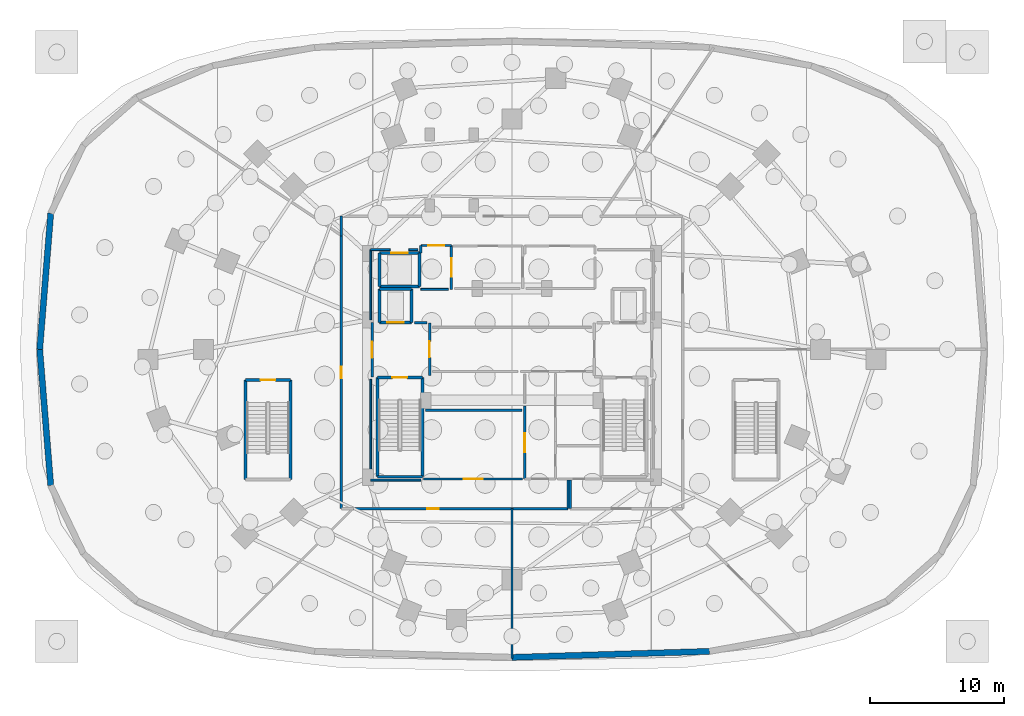
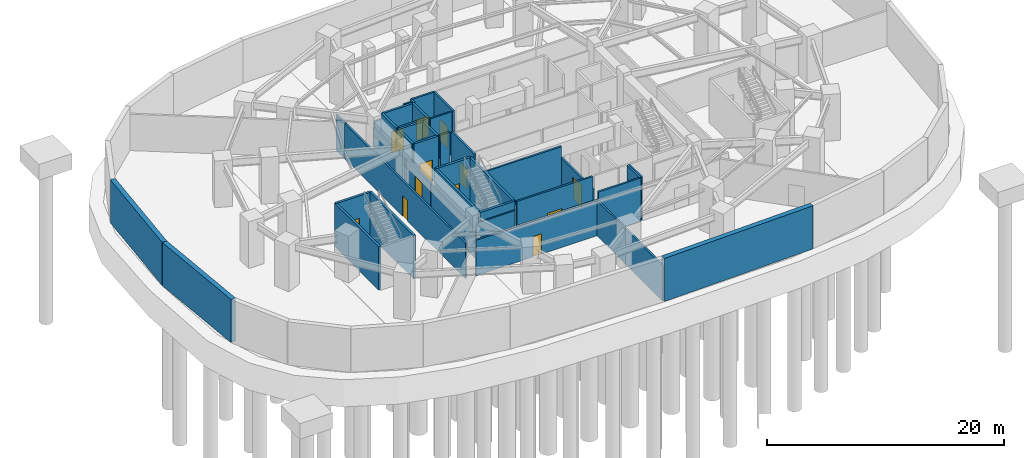
# One storey, part 4 of 9: 40 walls, 12 doors, 12 openings.
"""IFC4 building model written with IfcOpenShell, lengths in metres."""

from ifc_helpers import new_model, si_unit, direction, frame, frame_2d, origin, place, context, subcontext, project, spatial, rectangle, extrude, material, layer, layer_set, type_object, element, fill, save


model = new_model("IFC4")

# Units and contexts
model_context = context("Model", 3, precision=1e-05, world=origin(), true_north=direction((0.0, 1.0)))
body_context = subcontext(model_context, "Body", "Model", "MODEL_VIEW")
ifc_project = project(units=[si_unit("LENGTHUNIT", "METRE"), si_unit("AREAUNIT", "SQUARE_METRE"), si_unit("VOLUMEUNIT", "CUBIC_METRE"), si_unit("PLANEANGLEUNIT", "RADIAN"), si_unit("MASSUNIT", "GRAM", prefix="KILO")], contexts=[model_context])

# Site, building, storey
site_placement = place(None, origin())
site = spatial("IfcSite", under=ifc_project, at=site_placement, CompositionType="ELEMENT")
building_placement = place(site_placement, origin())
building = spatial("IfcBuilding", under=site, at=building_placement, Name="Vorneva Point Tower", CompositionType="ELEMENT")
storey_placement = place(building_placement, frame((0.0, 0.0, -9.60009765625)))
storey = spatial("IfcBuildingStorey", under=building, at=storey_placement, Name="B02", CompositionType="ELEMENT", Elevation=-9.60009765625)

# Wall, opening, door
ifc_material_1 = material(Name="Concrete B60 (C50/60)", Category="concrete")
ifc_layer_1 = layer(ifc_material_1, 0.5)
ifc_layer_set_1 = layer_set([ifc_layer_1], Name="Concrete B60 (C50/60)")
wall_type_1 = type_object("IfcWallType", Name="WL-CORE-500", PredefinedType="SHEAR", material=ifc_layer_set_1)
wall_1_placement = place(storey_placement, frame((28.10009765625, 28.0, 0.0), z_axis=(0.0, 0.0, 1.0), x_axis=(1.0, 0.0, 0.0)))
wall_1 = element("IfcWall", 1, at=wall_1_placement, inside=storey, type_object=wall_type_1, Name="B02 Lift FFL1 Shaft Wall -Y", PredefinedType="SHEAR", context=body_context, shape_type="SweptSolid", body=[
    extrude(rectangle(XDim=2.39990234375, YDim=0.219970703125, at=frame_2d((1.199951171875, 0.0))), origin(), (0.0, 0.0, 1.0), 4.4501953125),
])
opening_1_placement = place(wall_1_placement, frame((0.60009765625, 0.0, 0.0)))
opening_1 = element("IfcOpeningElement", 2, at=opening_1_placement, cuts=wall_1, Name="Opening LD-02", PredefinedType="OPENING", context=body_context, shape_type="SweptSolid", body=[
    extrude(rectangle(XDim=1.199951171875, YDim=2.199951171875, at=frame_2d((0.60009765625, 1.10009765625))), frame((0.0, 0.125, 0.0), z_axis=(0.0, -1.0, 0.0), x_axis=(1.0, 0.0, 0.0)), (0.0, 0.0, 1.0), 0.249755859375),
])
ifc_material_2 = material(Name="Brushed stainless steel S304", Category="steel")
door_type_1 = type_object("IfcDoorType", Name="LD-FIRE-1200", OperationType="SLIDING_TO_LEFT", PredefinedType="DOOR", material=ifc_material_2)
door_1_placement = place(opening_1_placement, origin())
door_1 = element("IfcDoor", 3, at=door_1_placement, inside=storey, type_object=door_type_1, Name="B02 Lift FFL1 Sliding Landing Door", OperationType="SLIDING_TO_LEFT", OverallHeight=2.199951171875, OverallWidth=1.199951171875, PredefinedType="DOOR", context=body_context, shape_type="SweptSolid", body=[
    extrude(rectangle(XDim=1.199951171875, YDim=2.199951171875, at=frame_2d((0.60009765625, 1.10009765625))), frame((0.0, 0.02490234375, 0.0), z_axis=(0.0, -1.0, 0.0), x_axis=(1.0, 0.0, 0.0)), (0.0, 0.0, 1.0), 0.050048828125),
])
fill(opening_1, door_1)

# Walls
wall_2_placement = place(storey_placement, frame((30.5, 28.0, 0.0), z_axis=(0.0, 0.0, 1.0), x_axis=(0.0, 1.0, 0.0)))
element("IfcWall", 4, at=wall_2_placement, inside=storey, type_object=wall_type_1, Name="B02 Lift FFL1 Shaft Wall +X", PredefinedType="SHEAR", context=body_context, shape_type="SweptSolid", body=[
    extrude(rectangle(XDim=2.5, YDim=0.219970703125, at=frame_2d((1.25, 0.0))), origin(), (0.0, 0.0, 1.0), 4.4501953125),
])
wall_3_placement = place(storey_placement, frame((30.5, 30.5, 0.0), z_axis=(0.0, 0.0, 1.0), x_axis=(-1.0, 0.0, 0.0)))
element("IfcWall", 5, at=wall_3_placement, inside=storey, type_object=wall_type_1, Name="B02 Lift FFL1 Shaft Wall +Y", PredefinedType="SHEAR", context=body_context, shape_type="SweptSolid", body=[
    extrude(rectangle(XDim=2.39990234375, YDim=0.219970703125, at=frame_2d((1.199951171875, 0.0))), origin(), (0.0, 0.0, 1.0), 4.4501953125),
])
wall_4_placement = place(storey_placement, frame((28.10009765625, 30.5, 0.0), z_axis=(0.0, 0.0, 1.0), x_axis=(0.0, -1.0, 0.0)))
element("IfcWall", 6, at=wall_4_placement, inside=storey, type_object=wall_type_1, Name="B02 Lift FFL1 Shaft Wall -X", PredefinedType="SHEAR", context=body_context, shape_type="SweptSolid", body=[
    extrude(rectangle(XDim=2.5, YDim=0.219970703125, at=frame_2d((1.25, 0.0))), origin(), (0.0, 0.0, 1.0), 4.4501953125),
])
ifc_material_3 = material(Name="Fire-rated acoustic gypsum stud partition", Category="gypsum")
ifc_layer_2 = layer(ifc_material_3, 0.139892578125)
ifc_layer_set_2 = layer_set([ifc_layer_2], Name="Fire-rated acoustic gypsum stud partition")
wall_type_2 = type_object("IfcWallType", Name="WL-PART-140", PredefinedType="PARTITIONING", material=ifc_layer_set_2)
wall_5_placement = place(storey_placement, frame((31.199951171875, 30.47998046875, 0.0), z_axis=(0.0, 0.0, 1.0), x_axis=(1.0, 0.0, 0.0)))
element("IfcWall", 7, at=wall_5_placement, inside=storey, type_object=wall_type_2, Name="B02 Interior Closure Partition 044", PredefinedType="PARTITIONING", context=body_context, shape_type="SweptSolid", body=[
    extrude(rectangle(XDim=2.050048828125, YDim=0.139892578125, at=frame_2d((1.02490234375, 0.0))), origin(), (0.0, 0.0, 1.0), 4.4501953125),
])
wall_6_placement = place(storey_placement, frame((31.195068359375, 16.239990234375, 0.0), z_axis=(0.0, 0.0, 1.0), x_axis=(-1.0, 0.0, 0.0)))
element("IfcWall", 8, at=wall_6_placement, inside=storey, type_object=wall_type_2, Name="B02 Interior Closure Partition 056", PredefinedType="PARTITIONING", context=body_context, shape_type="SweptSolid", body=[
    extrude(rectangle(XDim=3.7451171875, YDim=0.139892578125, at=frame_2d((1.87255859375, 0.0))), origin(), (0.0, 0.0, 1.0), 3.64208984375),
])
wall_7_placement = place(storey_placement, frame((27.449951171875, 16.239990234375, 0.0), z_axis=(0.0, 0.0, 1.0), x_axis=(0.0, 1.0, 0.0)))
element("IfcWall", 9, at=wall_7_placement, inside=storey, type_object=wall_type_2, Name="B02 Interior Closure Partition 057", PredefinedType="PARTITIONING", context=body_context, shape_type="SweptSolid", body=[
    extrude(rectangle(XDim=7.513916015625, YDim=0.139892578125, at=frame_2d((3.7568359375, 0.0))), origin(), (0.0, 0.0, 1.0), 3.030029296875),
])
wall_8_placement = place(storey_placement, frame((27.449951171875, 28.196044921875, 0.0), z_axis=(0.0, 0.0, 1.0), x_axis=(0.0, 1.0, 0.0)))
element("IfcWall", 10, at=wall_8_placement, inside=storey, type_object=wall_type_2, Name="B02 Interior Closure Partition 058", PredefinedType="PARTITIONING", context=body_context, shape_type="SweptSolid", body=[
    extrude(rectangle(XDim=5.25390625, YDim=0.139892578125, at=frame_2d((2.626953125, 0.0))), origin(), (0.0, 0.0, 1.0), 3.030029296875),
])
wall_9_placement = place(storey_placement, frame((27.449951171875, 33.449951171875, 0.0), z_axis=(0.0, 0.0, 1.0), x_axis=(1.0, 0.0, 0.0)))
element("IfcWall", 11, at=wall_9_placement, inside=storey, type_object=wall_type_2, Name="B02 Interior Closure Partition 059", PredefinedType="PARTITIONING", context=body_context, shape_type="SweptSolid", body=[
    extrude(rectangle(XDim=1.444091796875, YDim=0.139892578125, at=frame_2d((0.72216796875, 0.0))), origin(), (0.0, 0.0, 1.0), 3.64208984375),
])
wall_10_placement = place(storey_placement, frame((30.305908203125, 33.449951171875, 0.0), z_axis=(0.0, 0.0, 1.0), x_axis=(1.0, 0.0, 0.0)))
element("IfcWall", 12, at=wall_10_placement, inside=storey, type_object=wall_type_2, Name="B02 Interior Closure Partition 060", PredefinedType="PARTITIONING", context=body_context, shape_type="SweptSolid", body=[
    extrude(rectangle(XDim=0.674072265625, YDim=0.139892578125, at=frame_2d((0.3369140625, 0.0))), origin(), (0.0, 0.0, 1.0), 4.4501953125),
])

# Wall, opening, door
ifc_material_4 = material(Name="Autoclaved aerated concrete blockwork", Category="masonry")
ifc_layer_3 = layer(ifc_material_4, 0.179931640625)
ifc_layer_set_3 = layer_set([ifc_layer_3], Name="Autoclaved aerated concrete blockwork")
wall_type_3 = type_object("IfcWallType", Name="WL-PART-180", PredefinedType="PARTITIONING", material=ifc_layer_set_3)
wall_11_placement = place(storey_placement, frame((31.85009765625, 24.044921875, 0.0), z_axis=(0.0, 0.0, 1.0), x_axis=(0.0, 1.0, 0.0)))
wall_11 = element("IfcWall", 13, at=wall_11_placement, inside=storey, type_object=wall_type_3, Name="B02 Interior Partition 001", PredefinedType="PARTITIONING", context=body_context, shape_type="SweptSolid", body=[
    extrude(rectangle(XDim=3.91015625, YDim=0.179931640625, at=frame_2d((1.955078125, 0.0))), origin(), (0.0, 0.0, 1.0), 4.4501953125),
])
opening_2_placement = place(wall_11_placement, frame((1.35498046875, 0.0, 0.0)))
opening_2 = element("IfcOpeningElement", 14, at=opening_2_placement, cuts=wall_11, Name="Opening FD-02", PredefinedType="OPENING", context=body_context, shape_type="SweptSolid", body=[
    extrude(rectangle(XDim=1.199951171875, YDim=2.14990234375, at=frame_2d((0.60009765625, 1.074951171875))), frame((0.0, 0.10498046875, 0.0), z_axis=(0.0, -1.0, 0.0), x_axis=(1.0, 0.0, 0.0)), (0.0, 0.0, 1.0), 0.209716796875),
])
ifc_material_5 = material(Name="Fire-rated powder-coated steel", Category="steel")
door_type_2 = type_object("IfcDoorType", Name="DR-FFL-1200", OperationType="NOTDEFINED", PredefinedType="DOOR", material=ifc_material_5)
door_2_placement = place(opening_2_placement, origin())
door_2 = element("IfcDoor", 15, at=door_2_placement, inside=storey, type_object=door_type_2, Name="B02 Door West Firefighting Lobby / Central Lift Lobby", OperationType="SINGLE_SWING_RIGHT", OverallHeight=2.14990234375, OverallWidth=1.199951171875, PredefinedType="DOOR", context=body_context, shape_type="SweptSolid", body=[
    extrude(rectangle(XDim=1.199951171875, YDim=2.14990234375, at=frame_2d((0.60009765625, 1.074951171875))), frame((0.0, 0.02490234375, 0.0), z_axis=(0.0, -1.0, 0.0), x_axis=(1.0, 0.0, 0.0)), (0.0, 0.0, 1.0), 0.050048828125),
])
fill(opening_2, door_2)

wall_12_placement = place(storey_placement, frame((27.550048828125, 28.0, 0.0), z_axis=(0.0, 0.0, 1.0), x_axis=(0.0, -1.0, 0.0)))
wall_12 = element("IfcWall", 16, at=wall_12_placement, inside=storey, type_object=wall_type_3, Name="B02 Interior Partition 002", PredefinedType="PARTITIONING", context=body_context, shape_type="SweptSolid", body=[
    extrude(rectangle(XDim=4.050048828125, YDim=0.179931640625, at=frame_2d((2.02490234375, 0.0))), origin(), (0.0, 0.0, 1.0), 3.030029296875),
])
opening_3_placement = place(wall_12_placement, frame((1.425048828125, 0.0, 0.0)))
opening_3 = element("IfcOpeningElement", 17, at=opening_3_placement, cuts=wall_12, Name="Opening FD-02", PredefinedType="OPENING", context=body_context, shape_type="SweptSolid", body=[
    extrude(rectangle(XDim=1.199951171875, YDim=2.14990234375, at=frame_2d((0.60009765625, 1.074951171875))), frame((0.0, 0.10498046875, 0.0), z_axis=(0.0, -1.0, 0.0), x_axis=(1.0, 0.0, 0.0)), (0.0, 0.0, 1.0), 0.209716796875),
])
door_3_placement = place(opening_3_placement, origin())
door_3 = element("IfcDoor", 18, at=door_3_placement, inside=storey, type_object=door_type_2, Name="B02 Door West Firefighting Lobby / B02 Circulation Corridor", OperationType="SINGLE_SWING_RIGHT", OverallHeight=2.14990234375, OverallWidth=1.199951171875, PredefinedType="DOOR", context=body_context, shape_type="SweptSolid", body=[
    extrude(rectangle(XDim=1.199951171875, YDim=2.14990234375, at=frame_2d((0.60009765625, 1.074951171875))), frame((0.0, 0.02490234375, 0.0), z_axis=(0.0, -1.0, 0.0), x_axis=(1.0, 0.0, 0.0)), (0.0, 0.0, 1.0), 0.050048828125),
])
fill(opening_3, door_3)

wall_13_placement = place(storey_placement, frame((33.469970703125, 30.47998046875, 0.0), z_axis=(0.0, 0.0, 1.0), x_axis=(0.0, 1.0, 0.0)))
wall_13 = element("IfcWall", 19, at=wall_13_placement, inside=storey, type_object=wall_type_3, Name="B02 Interior Partition 006", PredefinedType="PARTITIONING", context=body_context, shape_type="SweptSolid", body=[
    extrude(rectangle(XDim=3.280029296875, YDim=0.179931640625, at=frame_2d((1.64013671875, 0.0))), origin(), (0.0, 0.0, 1.0), 4.4501953125),
])
opening_4_placement = place(wall_13_placement, frame((0.93994140625, 0.0, 0.0)))
opening_4 = element("IfcOpeningElement", 20, at=opening_4_placement, cuts=wall_13, Name="Opening FD-03", PredefinedType="OPENING", context=body_context, shape_type="SweptSolid", body=[
    extrude(rectangle(XDim=1.39990234375, YDim=2.199951171875, at=frame_2d((0.699951171875, 1.10009765625))), frame((0.0, 0.10498046875, 0.0), z_axis=(0.0, -1.0, 0.0), x_axis=(1.0, 0.0, 0.0)), (0.0, 0.0, 1.0), 0.209716796875),
])
door_type_3 = type_object("IfcDoorType", Name="DR-PLT-1400", OperationType="DOUBLE_SWING_LEFT", PredefinedType="DOOR", material=ifc_material_5)
door_4_placement = place(opening_4_placement, origin())
door_4 = element("IfcDoor", 21, at=door_4_placement, inside=storey, type_object=door_type_3, Name="B02 Door Service Lift Lobby / Core Smoke Extract Plant B02", OperationType="DOUBLE_SWING_LEFT", OverallHeight=2.199951171875, OverallWidth=1.39990234375, PredefinedType="DOOR", context=body_context, shape_type="SweptSolid", body=[
    extrude(rectangle(XDim=1.39990234375, YDim=2.199951171875, at=frame_2d((0.699951171875, 1.10009765625))), frame((0.0, 0.02490234375, 0.0), z_axis=(0.0, -1.0, 0.0), x_axis=(1.0, 0.0, 0.0)), (0.0, 0.0, 1.0), 0.050048828125),
])
fill(opening_4, door_4)

wall_14_placement = place(storey_placement, frame((33.469970703125, 33.760009765625, 0.0), z_axis=(0.0, 0.0, 1.0), x_axis=(-1.0, 0.0, 0.0)))
wall_14 = element("IfcWall", 22, at=wall_14_placement, inside=storey, type_object=wall_type_3, Name="B02 Interior Partition 007", PredefinedType="PARTITIONING", context=body_context, shape_type="SweptSolid", body=[
    extrude(rectangle(XDim=2.27001953125, YDim=0.179931640625, at=frame_2d((1.135009765625, 0.0))), origin(), (0.0, 0.0, 1.0), 4.4501953125),
])
opening_5_placement = place(wall_14_placement, frame((0.534912109375, 0.0, 0.0)))
opening_5 = element("IfcOpeningElement", 23, at=opening_5_placement, cuts=wall_14, Name="Opening FD-02", PredefinedType="OPENING", context=body_context, shape_type="SweptSolid", body=[
    extrude(rectangle(XDim=1.199951171875, YDim=2.14990234375, at=frame_2d((0.60009765625, 1.074951171875))), frame((0.0, 0.10498046875, 0.0), z_axis=(0.0, -1.0, 0.0), x_axis=(1.0, 0.0, 0.0)), (0.0, 0.0, 1.0), 0.209716796875),
])
door_5_placement = place(opening_5_placement, origin())
door_5 = element("IfcDoor", 24, at=door_5_placement, inside=storey, type_object=door_type_2, Name="B02 Door Service Lift Lobby / B02 Circulation Corridor", OperationType="SINGLE_SWING_RIGHT", OverallHeight=2.14990234375, OverallWidth=1.199951171875, PredefinedType="DOOR", context=body_context, shape_type="SweptSolid", body=[
    extrude(rectangle(XDim=1.199951171875, YDim=2.14990234375, at=frame_2d((0.60009765625, 1.074951171875))), frame((0.0, 0.02490234375, 0.0), z_axis=(0.0, -1.0, 0.0), x_axis=(1.0, 0.0, 0.0)), (0.0, 0.0, 1.0), 0.050048828125),
])
fill(opening_5, door_5)

# Wall
wall_15_placement = place(storey_placement, frame((31.199951171875, 33.760009765625, 0.0), z_axis=(0.0, 0.0, 1.0), x_axis=(0.0, -1.0, 0.0)))
element("IfcWall", 25, at=wall_15_placement, inside=storey, type_object=wall_type_3, Name="B02 Interior Partition 008", PredefinedType="PARTITIONING", context=body_context, shape_type="SweptSolid", body=[
    extrude(rectangle(XDim=0.56005859375, YDim=0.179931640625, at=frame_2d((0.280029296875, 0.0))), origin(), (0.0, 0.0, 1.0), 4.4501953125),
])

# Wall, opening, door
wall_16_placement = place(storey_placement, frame((38.949951171875, 21.7548828125, 0.0), z_axis=(0.0, 0.0, 1.0), x_axis=(0.0, -1.0, 0.0)))
wall_16 = element("IfcWall", 26, at=wall_16_placement, inside=storey, type_object=wall_type_3, Name="B02 Interior Partition 011", PredefinedType="PARTITIONING", context=body_context, shape_type="SweptSolid", body=[
    extrude(rectangle(XDim=5.434814453125, YDim=0.179931640625, at=frame_2d((2.71728515625, 0.0))), origin(), (0.0, 0.0, 1.0), 3.030029296875),
])
opening_6_placement = place(wall_16_placement, frame((2.017578125, 0.0, 0.0)))
opening_6 = element("IfcOpeningElement", 27, at=opening_6_placement, cuts=wall_16, Name="Opening FD-03", PredefinedType="OPENING", context=body_context, shape_type="SweptSolid", body=[
    extrude(rectangle(XDim=1.39990234375, YDim=2.199951171875, at=frame_2d((0.699951171875, 1.10009765625))), frame((0.0, 0.10498046875, 0.0), z_axis=(0.0, -1.0, 0.0), x_axis=(1.0, 0.0, 0.0)), (0.0, 0.0, 1.0), 0.209716796875),
])
door_6_placement = place(opening_6_placement, origin())
door_6 = element("IfcDoor", 28, at=door_6_placement, inside=storey, type_object=door_type_3, Name="B02 Door Core Service Lobby / Core Hydraulic Pump Plant B02", OperationType="DOUBLE_SWING_LEFT", OverallHeight=2.199951171875, OverallWidth=1.39990234375, PredefinedType="DOOR", context=body_context, shape_type="SweptSolid", body=[
    extrude(rectangle(XDim=1.39990234375, YDim=2.199951171875, at=frame_2d((0.699951171875, 1.10009765625))), frame((0.0, 0.02490234375, 0.0), z_axis=(0.0, -1.0, 0.0), x_axis=(1.0, 0.0, 0.0)), (0.0, 0.0, 1.0), 0.050048828125),
])
fill(opening_6, door_6)

wall_17_placement = place(storey_placement, frame((31.39990234375, 16.320068359375, 0.0), z_axis=(0.0, 0.0, 1.0), x_axis=(1.0, 0.0, 0.0)))
wall_17 = element("IfcWall", 29, at=wall_17_placement, inside=storey, type_object=wall_type_3, Name="B02 Interior Partition 020", PredefinedType="PARTITIONING", context=body_context, shape_type="SweptSolid", body=[
    extrude(rectangle(XDim=7.400146484375, YDim=0.179931640625, at=frame_2d((3.7001953125, 0.0))), origin(), (0.0, 0.0, 1.0), 4.4501953125),
])
opening_7_placement = place(wall_17_placement, frame((3.0, 0.0, 0.0)))
opening_7 = element("IfcOpeningElement", 30, at=opening_7_placement, cuts=wall_17, Name="Opening FD-03", PredefinedType="OPENING", context=body_context, shape_type="SweptSolid", body=[
    extrude(rectangle(XDim=1.39990234375, YDim=2.199951171875, at=frame_2d((0.699951171875, 1.10009765625))), frame((0.0, 0.10498046875, 0.0), z_axis=(0.0, -1.0, 0.0), x_axis=(1.0, 0.0, 0.0)), (0.0, 0.0, 1.0), 0.209716796875),
])
door_7_placement = place(opening_7_placement, origin())
door_7 = element("IfcDoor", 31, at=door_7_placement, inside=storey, type_object=door_type_3, Name="B02 Door Core Hydraulic Pump Plant B02 / B02 Circulation Corridor", OperationType="DOUBLE_SWING_LEFT", OverallHeight=2.199951171875, OverallWidth=1.39990234375, PredefinedType="DOOR", context=body_context, shape_type="SweptSolid", body=[
    extrude(rectangle(XDim=1.39990234375, YDim=2.199951171875, at=frame_2d((0.699951171875, 1.10009765625))), frame((0.0, 0.02490234375, 0.0), z_axis=(0.0, -1.0, 0.0), x_axis=(1.0, 0.0, 0.0)), (0.0, 0.0, 1.0), 0.050048828125),
])
fill(opening_7, door_7)

# Wall
wall_18_placement = place(storey_placement, frame((25.25, 35.949951171875, 0.0), z_axis=(0.0, 0.0, 1.0), x_axis=(0.0, -1.0, 0.0)))
element("IfcWall", 32, at=wall_18_placement, inside=storey, type_object=wall_type_3, Name="B02 Interior Partition 026", PredefinedType="PARTITIONING", context=body_context, shape_type="SweptSolid", body=[
    extrude(rectangle(XDim=1.490966796875, YDim=0.179931640625, at=frame_2d((0.74560546875, 0.0))), origin(), (0.0, 0.0, 1.0), 3.64208984375),
])

# Wall, opening, door
wall_19_placement = place(storey_placement, frame((25.25, 34.458984375, 0.0), z_axis=(0.0, 0.0, 1.0), x_axis=(0.0, -1.0, 0.0)))
wall_19 = element("IfcWall", 33, at=wall_19_placement, inside=storey, type_object=wall_type_3, Name="B02 Interior Partition 027", PredefinedType="PARTITIONING", context=body_context, shape_type="SweptSolid", body=[
    extrude(rectangle(XDim=20.35888671875, YDim=0.179931640625, at=frame_2d((10.179443359375, 0.0))), origin(), (0.0, 0.0, 1.0), 3.64208984375),
])
opening_8_placement = place(wall_19_placement, frame((9.75439453125, 0.0, 0.0)))
opening_8 = element("IfcOpeningElement", 34, at=opening_8_placement, cuts=wall_19, Name="Opening ID-02", PredefinedType="OPENING", context=body_context, shape_type="SweptSolid", body=[
    extrude(rectangle(XDim=0.85009765625, YDim=2.10009765625, at=frame_2d((0.425048828125, 1.050048828125))), frame((0.0, 0.10498046875, 0.0), z_axis=(0.0, -1.0, 0.0), x_axis=(1.0, 0.0, 0.0)), (0.0, 0.0, 1.0), 0.209716796875),
])
ifc_material_6 = material(Name="Engineered oak fire-rated door leaf", Category="wood")
door_type_4 = type_object("IfcDoorType", Name="DR-BATH-850", OperationType="NOTDEFINED", PredefinedType="DOOR", material=ifc_material_6)
door_8_placement = place(opening_8_placement, origin())
door_8 = element("IfcDoor", 35, at=door_8_placement, inside=storey, type_object=door_type_4, Name="B02 Door B02 Circulation Corridor / Basement Archive and MEP Storage West", OperationType="SINGLE_SWING_RIGHT", OverallHeight=2.10009765625, OverallWidth=0.85009765625, PredefinedType="DOOR", context=body_context, shape_type="SweptSolid", body=[
    extrude(rectangle(XDim=0.85009765625, YDim=2.10009765625, at=frame_2d((0.425048828125, 1.050048828125))), frame((0.0, 0.02490234375, 0.0), z_axis=(0.0, -1.0, 0.0), x_axis=(1.0, 0.0, 0.0)), (0.0, 0.0, 1.0), 0.050048828125),
])
fill(opening_8, door_8)

wall_20_placement = place(storey_placement, frame((26.159912109375, 14.10009765625, 0.0), z_axis=(0.0, 0.0, 1.0), x_axis=(1.0, 0.0, 0.0)))
wall_20 = element("IfcWall", 36, at=wall_20_placement, inside=storey, type_object=wall_type_3, Name="B02 Interior Partition 029", PredefinedType="PARTITIONING", context=body_context, shape_type="SweptSolid", body=[
    extrude(rectangle(XDim=11.900146484375, YDim=0.179931640625, at=frame_2d((5.9501953125, 0.0))), origin(), (0.0, 0.0, 1.0), 3.64208984375),
])
opening_9_placement = place(wall_20_placement, frame((5.52490234375, 0.0, 0.0)))
opening_9 = element("IfcOpeningElement", 37, at=opening_9_placement, cuts=wall_20, Name="Opening ID-02", PredefinedType="OPENING", context=body_context, shape_type="SweptSolid", body=[
    extrude(rectangle(XDim=0.85009765625, YDim=2.10009765625, at=frame_2d((0.425048828125, 1.050048828125))), frame((0.0, 0.10498046875, 0.0), z_axis=(0.0, -1.0, 0.0), x_axis=(1.0, 0.0, 0.0)), (0.0, 0.0, 1.0), 0.209716796875),
])
door_9_placement = place(opening_9_placement, origin())
door_9 = element("IfcDoor", 38, at=door_9_placement, inside=storey, type_object=door_type_4, Name="B02 Door B02 Circulation Corridor / Bicycle and Tenant Storage Room", OperationType="SINGLE_SWING_LEFT", OverallHeight=2.10009765625, OverallWidth=0.85009765625, PredefinedType="DOOR", context=body_context, shape_type="SweptSolid", body=[
    extrude(rectangle(XDim=0.85009765625, YDim=2.10009765625, at=frame_2d((0.425048828125, 1.050048828125))), frame((0.0, 0.02490234375, 0.0), z_axis=(0.0, -1.0, 0.0), x_axis=(1.0, 0.0, 0.0)), (0.0, 0.0, 1.0), 0.050048828125),
])
fill(opening_9, door_9)

# Walls
wall_21_placement = place(storey_placement, frame((42.340087890625, 16.239990234375, 0.0), z_axis=(0.0, 0.0, 1.0), x_axis=(0.0, -1.0, 0.0)))
element("IfcWall", 39, at=wall_21_placement, inside=storey, type_object=wall_type_3, Name="B02 Interior Partition 030", PredefinedType="PARTITIONING", context=body_context, shape_type="SweptSolid", body=[
    extrude(rectangle(XDim=2.139892578125, YDim=0.179931640625, at=frame_2d((1.06982421875, 0.0))), origin(), (0.0, 0.0, 1.0), 4.4501953125),
])
wall_22_placement = place(storey_placement, frame((38.06005859375, 14.10009765625, 0.0), z_axis=(0.0, 0.0, 1.0), x_axis=(1.0, 0.0, 0.0)))
element("IfcWall", 40, at=wall_22_placement, inside=storey, type_object=wall_type_3, Name="B02 Interior Partition 032", PredefinedType="PARTITIONING", context=body_context, shape_type="SweptSolid", body=[
    extrude(rectangle(XDim=4.139892578125, YDim=0.179931640625, at=frame_2d((2.06982421875, 0.0))), origin(), (0.0, 0.0, 1.0), 4.4501953125),
])
wall_23_placement = place(storey_placement, frame((42.199951171875, 14.10009765625, 0.0), z_axis=(0.0, 0.0, 1.0), x_axis=(0.0, 1.0, 0.0)))
element("IfcWall", 41, at=wall_23_placement, inside=storey, type_object=wall_type_3, Name="B02 Interior Partition 033", PredefinedType="PARTITIONING", context=body_context, shape_type="SweptSolid", body=[
    extrude(rectangle(XDim=2.139892578125, YDim=0.179931640625, at=frame_2d((1.06982421875, 0.0))), origin(), (0.0, 0.0, 1.0), 4.4501953125),
])
wall_24_placement = place(storey_placement, frame((38.0, 2.904052734375, 0.0), z_axis=(0.0, 0.0, 1.0), x_axis=(0.0, 1.0, 0.0)))
element("IfcWall", 42, at=wall_24_placement, inside=storey, type_object=wall_type_3, Name="B02 Interior Partition 040", PredefinedType="PARTITIONING", context=body_context, shape_type="SweptSolid", body=[
    extrude(rectangle(XDim=11.196044921875, YDim=0.179931640625, at=frame_2d((5.59814453125, 0.0))), origin(), (0.0, 0.0, 1.0), 3.64208984375),
])
wall_25_placement = place(storey_placement, frame((31.635009765625, 28.0, 0.0), z_axis=(0.0, 0.0, 1.0), x_axis=(-1.0, 0.0, 0.0)))
element("IfcWall", 43, at=wall_25_placement, inside=storey, type_object=wall_type_3, Name="B02 Interior Closure Partition 042", PredefinedType="PARTITIONING", context=body_context, shape_type="SweptSolid", body=[
    extrude(rectangle(XDim=0.9150390625, YDim=0.179931640625, at=frame_2d((0.45751953125, 0.0))), origin(), (0.0, 0.0, 1.0), 4.4501953125),
])
wall_26_placement = place(storey_placement, frame((38.72998046875, 21.449951171875, 0.0), z_axis=(0.0, 0.0, 1.0), x_axis=(-1.0, 0.0, 0.0)))
element("IfcWall", 44, at=wall_26_placement, inside=storey, type_object=wall_type_3, Name="B02 Interior Closure Partition 051", PredefinedType="PARTITIONING", context=body_context, shape_type="SweptSolid", body=[
    extrude(rectangle(XDim=7.199951171875, YDim=0.179931640625, at=frame_2d((3.60009765625, 0.0))), origin(), (0.0, 0.0, 1.0), 4.4501953125),
])
ifc_layer_4 = layer(ifc_material_1, 0.449951171875)
ifc_layer_set_4 = layer_set([ifc_layer_4], Name="Concrete B60 (C50/60)")
wall_type_4 = type_object("IfcWallType", Name="WL-RET-450", PredefinedType="SOLIDWALL", material=ifc_layer_set_4)
for number, where, z_axis, x_axis, name in (
    (45, (3.552978515625, 36.162841796875, 0.0), (0.0, 0.0, 1.0), (-0.080835799126, -0.996727431939, 0.0), "B02 Perimeter Retaining Wall 12"),
    (46, (2.728759765625, 26.0, 0.0), (0.0, 0.0, 1.0), (0.080835799126, -0.996727431939, 0.0), "B02 Perimeter Retaining Wall 13"),
):
    element("IfcWall", number, at=place(storey_placement, frame(where, z_axis=z_axis, x_axis=x_axis)), inside=storey, type_object=wall_type_4, Name=name, PredefinedType="SOLIDWALL", context=body_context, shape_type="SweptSolid", body=[
        extrude(rectangle(XDim=10.1962890625, YDim=0.449951171875, at=frame_2d((5.09814453125, 0.0))), origin(), (0.0, 0.0, 1.0), 4.4501953125),
    ])
wall_27_placement = place(storey_placement, frame((38.0, 3.000244140625, 0.0), z_axis=(0.0, 0.0, 1.0), x_axis=(0.999540251976, 0.030319707786, 0.0)))
element("IfcWall", 47, at=wall_27_placement, inside=storey, type_object=wall_type_4, Name="B02 Perimeter Retaining Wall 19", PredefinedType="SOLIDWALL", context=body_context, shape_type="SweptSolid", body=[
    extrude(rectangle(XDim=14.74365234375, YDim=0.449951171875, at=frame_2d((7.371826171875, 0.0))), origin(), (0.0, 0.0, 1.0), 4.4501953125),
])

# Wall, opening, door
ifc_material_7 = material(Name="Concrete B50 (C40/50)", Category="concrete")
ifc_layer_5 = layer(ifc_material_7, 0.219970703125)
ifc_layer_set_5 = layer_set([ifc_layer_5], Name="Concrete B50 (C40/50)")
wall_type_5 = type_object("IfcWallType", Name="WL-SHFT-220", PredefinedType="SOLIDWALL", material=ifc_layer_set_5)
wall_28_placement = place(storey_placement, frame((27.93994140625, 23.909912109375, 0.0), z_axis=(0.0, 0.0, 1.0), x_axis=(1.0, 0.0, 0.0)))
wall_28 = element("IfcWall", 48, at=wall_28_placement, inside=storey, type_object=wall_type_5, Name="B02 Exit Stair ST1 Shaft Wall near", PredefinedType="SOLIDWALL", context=body_context, shape_type="SweptSolid", body=[
    extrude(rectangle(XDim=3.3701171875, YDim=0.219970703125, at=frame_2d((1.68505859375, 0.0))), origin(), (0.0, 0.0, 1.0), 4.4501953125),
])
opening_10_placement = place(wall_28_placement, frame((1.135009765625, 0.0, 0.0)))
opening_10 = element("IfcOpeningElement", 49, at=opening_10_placement, cuts=wall_28, Name="Opening FD-01", PredefinedType="OPENING", context=body_context, shape_type="SweptSolid", body=[
    extrude(rectangle(XDim=1.10009765625, YDim=2.14990234375, at=frame_2d((0.550048828125, 1.074951171875))), frame((0.0, 0.125, 0.0), z_axis=(0.0, -1.0, 0.0), x_axis=(1.0, 0.0, 0.0)), (0.0, 0.0, 1.0), 0.249755859375),
])
door_type_5 = type_object("IfcDoorType", Name="DR-STAIR-1100", OperationType="NOTDEFINED", PredefinedType="DOOR", material=ifc_material_5)
door_10_placement = place(opening_10_placement, origin())
door_10 = element("IfcDoor", 50, at=door_10_placement, inside=storey, type_object=door_type_5, Name="B02 Exit Stair ST1 Fire Door", OperationType="SINGLE_SWING_RIGHT", OverallHeight=2.14990234375, OverallWidth=1.10009765625, PredefinedType="DOOR", context=body_context, shape_type="SweptSolid", body=[
    extrude(rectangle(XDim=1.10009765625, YDim=2.14990234375, at=frame_2d((0.550048828125, 1.074951171875))), frame((0.0, 0.02490234375, 0.0), z_axis=(0.0, -1.0, 0.0), x_axis=(1.0, 0.0, 0.0)), (0.0, 0.0, 1.0), 0.050048828125),
])
fill(opening_10, door_10)

# Walls
wall_29_placement = place(storey_placement, frame((31.31005859375, 23.909912109375, 0.0), z_axis=(0.0, 0.0, 1.0), x_axis=(0.0, -1.0, 0.0)))
element("IfcWall", 51, at=wall_29_placement, inside=storey, type_object=wall_type_5, Name="B02 Exit Stair ST1 Shaft Wall right", PredefinedType="SOLIDWALL", context=body_context, shape_type="SweptSolid", body=[
    extrude(rectangle(XDim=7.419921875, YDim=0.219970703125, at=frame_2d((3.7099609375, 0.0))), origin(), (0.0, 0.0, 1.0), 4.4501953125),
])
wall_30_placement = place(storey_placement, frame((31.31005859375, 16.489990234375, 0.0), z_axis=(0.0, 0.0, 1.0), x_axis=(-1.0, 0.0, 0.0)))
element("IfcWall", 52, at=wall_30_placement, inside=storey, type_object=wall_type_5, Name="B02 Exit Stair ST1 Shaft Wall far", PredefinedType="SOLIDWALL", context=body_context, shape_type="SweptSolid", body=[
    extrude(rectangle(XDim=3.3701171875, YDim=0.219970703125, at=frame_2d((1.68505859375, 0.0))), origin(), (0.0, 0.0, 1.0), 4.4501953125),
])
wall_31_placement = place(storey_placement, frame((27.93994140625, 16.489990234375, 0.0), z_axis=(0.0, 0.0, 1.0), x_axis=(0.0, 1.0, 0.0)))
element("IfcWall", 53, at=wall_31_placement, inside=storey, type_object=wall_type_5, Name="B02 Exit Stair ST1 Shaft Wall left", PredefinedType="SOLIDWALL", context=body_context, shape_type="SweptSolid", body=[
    extrude(rectangle(XDim=7.419921875, YDim=0.219970703125, at=frame_2d((3.7099609375, 0.0))), origin(), (0.0, 0.0, 1.0), 4.4501953125),
])

# Wall, opening, door
wall_32_placement = place(storey_placement, frame((18.090087890625, 23.7099609375, 0.0), z_axis=(0.0, 0.0, 1.0), x_axis=(1.0, 0.0, 0.0)))
wall_32 = element("IfcWall", 54, at=wall_32_placement, inside=storey, type_object=wall_type_5, Name="B02 Exit Stair ST3 Shaft Wall near", PredefinedType="SOLIDWALL", context=body_context, shape_type="SweptSolid", body=[
    extrude(rectangle(XDim=3.369873046875, YDim=0.219970703125, at=frame_2d((1.68505859375, 0.0))), origin(), (0.0, 0.0, 1.0), 4.4501953125),
])
opening_11_placement = place(wall_32_placement, frame((1.135009765625, 0.0, 0.0)))
opening_11 = element("IfcOpeningElement", 55, at=opening_11_placement, cuts=wall_32, Name="Opening FD-01", PredefinedType="OPENING", context=body_context, shape_type="SweptSolid", body=[
    extrude(rectangle(XDim=1.10009765625, YDim=2.14990234375, at=frame_2d((0.550048828125, 1.074951171875))), frame((0.0, 0.125, 0.0), z_axis=(0.0, -1.0, 0.0), x_axis=(1.0, 0.0, 0.0)), (0.0, 0.0, 1.0), 0.249755859375),
])
door_11_placement = place(opening_11_placement, origin())
door_11 = element("IfcDoor", 56, at=door_11_placement, inside=storey, type_object=door_type_5, Name="B02 Exit Stair ST3 Fire Door", OperationType="SINGLE_SWING_RIGHT", OverallHeight=2.14990234375, OverallWidth=1.10009765625, PredefinedType="DOOR", context=body_context, shape_type="SweptSolid", body=[
    extrude(rectangle(XDim=1.10009765625, YDim=2.14990234375, at=frame_2d((0.550048828125, 1.074951171875))), frame((0.0, 0.02490234375, 0.0), z_axis=(0.0, -1.0, 0.0), x_axis=(1.0, 0.0, 0.0)), (0.0, 0.0, 1.0), 0.050048828125),
])
fill(opening_11, door_11)

# Walls
for number, where, z_axis, x_axis, name in (
    (57, (21.4599609375, 23.7099609375, 0.0), (0.0, 0.0, 1.0), (0.0, -1.0, 0.0), "B02 Exit Stair ST3 Shaft Wall right"),
    (58, (18.090087890625, 16.2900390625, 0.0), (0.0, 0.0, 1.0), (0.0, 1.0, 0.0), "B02 Exit Stair ST3 Shaft Wall left"),
):
    element("IfcWall", number, at=place(storey_placement, frame(where, z_axis=z_axis, x_axis=x_axis)), inside=storey, type_object=wall_type_5, Name=name, PredefinedType="SOLIDWALL", context=body_context, shape_type="SweptSolid", body=[
        extrude(rectangle(XDim=7.419921875, YDim=0.219970703125, at=frame_2d((3.7099609375, 0.0))), origin(), (0.0, 0.0, 1.0), 4.4501953125),
    ])
wall_33_placement = place(storey_placement, frame((28.10009765625, 30.699951171875, 0.0), z_axis=(0.0, 0.0, 1.0), x_axis=(1.0, 0.0, 0.0)))
element("IfcWall", 59, at=wall_33_placement, inside=storey, type_object=wall_type_5, Name="B02 Lift SVL1 Shaft Wall -Y", PredefinedType="SOLIDWALL", context=body_context, shape_type="SweptSolid", body=[
    extrude(rectangle(XDim=3.0, YDim=0.219970703125, at=frame_2d((1.5, 0.0))), origin(), (0.0, 0.0, 1.0), 4.4501953125),
])
wall_34_placement = place(storey_placement, frame((31.10009765625, 30.699951171875, 0.0), z_axis=(0.0, 0.0, 1.0), x_axis=(0.0, 1.0, 0.0)))
element("IfcWall", 60, at=wall_34_placement, inside=storey, type_object=wall_type_5, Name="B02 Lift SVL1 Shaft Wall +X", PredefinedType="SOLIDWALL", context=body_context, shape_type="SweptSolid", body=[
    extrude(rectangle(XDim=2.5, YDim=0.219970703125, at=frame_2d((1.25, 0.0))), origin(), (0.0, 0.0, 1.0), 4.4501953125),
])

# Wall, opening, door
wall_35_placement = place(storey_placement, frame((31.10009765625, 33.199951171875, 0.0), z_axis=(0.0, 0.0, 1.0), x_axis=(-1.0, 0.0, 0.0)))
wall_35 = element("IfcWall", 61, at=wall_35_placement, inside=storey, type_object=wall_type_5, Name="B02 Lift SVL1 Shaft Wall +Y", PredefinedType="SOLIDWALL", context=body_context, shape_type="SweptSolid", body=[
    extrude(rectangle(XDim=3.0, YDim=0.219970703125, at=frame_2d((1.5, 0.0))), origin(), (0.0, 0.0, 1.0), 4.4501953125),
])
opening_12_placement = place(wall_35_placement, frame((0.89990234375, 0.0, 0.0)))
opening_12 = element("IfcOpeningElement", 62, at=opening_12_placement, cuts=wall_35, Name="Opening LD-02", PredefinedType="OPENING", context=body_context, shape_type="SweptSolid", body=[
    extrude(rectangle(XDim=1.199951171875, YDim=2.199951171875, at=frame_2d((0.60009765625, 1.10009765625))), frame((0.0, 0.125, 0.0), z_axis=(0.0, -1.0, 0.0), x_axis=(1.0, 0.0, 0.0)), (0.0, 0.0, 1.0), 0.249755859375),
])
door_12_placement = place(opening_12_placement, origin())
door_12 = element("IfcDoor", 63, at=door_12_placement, inside=storey, type_object=door_type_1, Name="B02 Lift SVL1 Sliding Landing Door", OperationType="SLIDING_TO_LEFT", OverallHeight=2.199951171875, OverallWidth=1.199951171875, PredefinedType="DOOR", context=body_context, shape_type="SweptSolid", body=[
    extrude(rectangle(XDim=1.199951171875, YDim=2.199951171875, at=frame_2d((0.60009765625, 1.10009765625))), frame((0.0, 0.02490234375, 0.0), z_axis=(0.0, -1.0, 0.0), x_axis=(1.0, 0.0, 0.0)), (0.0, 0.0, 1.0), 0.050048828125),
])
fill(opening_12, door_12)

# Wall
wall_36_placement = place(storey_placement, frame((28.10009765625, 33.199951171875, 0.0), z_axis=(0.0, 0.0, 1.0), x_axis=(0.0, -1.0, 0.0)))
element("IfcWall", 64, at=wall_36_placement, inside=storey, type_object=wall_type_5, Name="B02 Lift SVL1 Shaft Wall -X", PredefinedType="SOLIDWALL", context=body_context, shape_type="SweptSolid", body=[
    extrude(rectangle(XDim=2.5, YDim=0.219970703125, at=frame_2d((1.25, 0.0))), origin(), (0.0, 0.0, 1.0), 4.4501953125),
])

save(model, "model.ifc")
